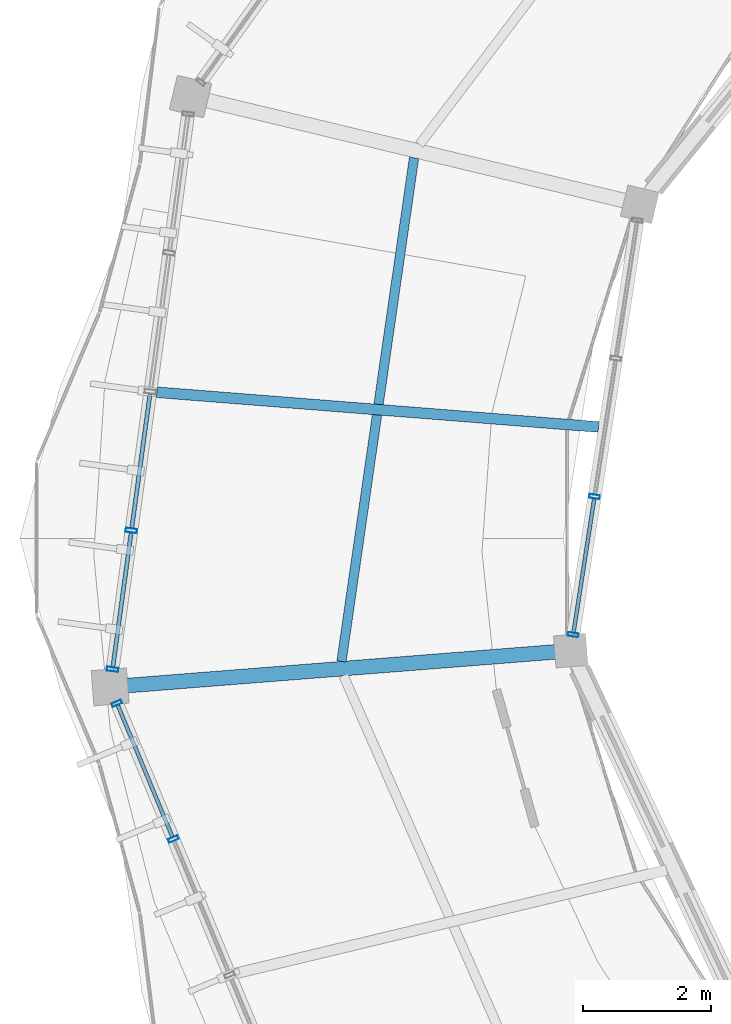
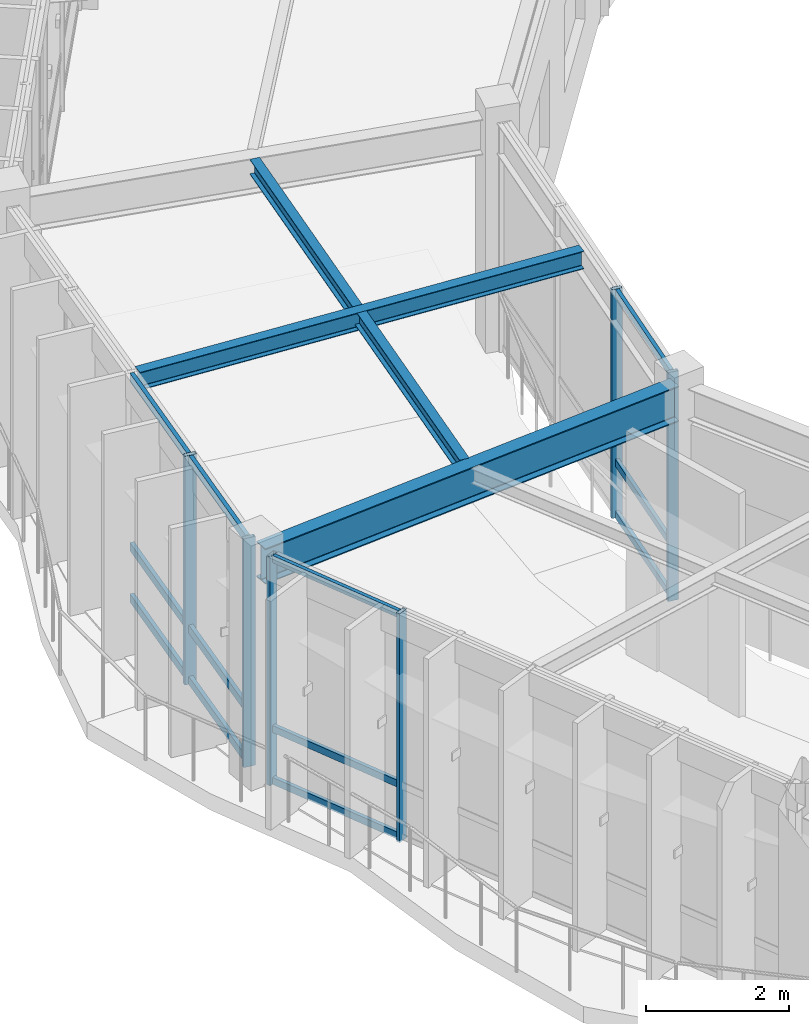
# One storey, part 10 of 79: 18 members, 3 beams, 3 elements without a shape of their own.
"""IFC4 building model written with IfcOpenShell, lengths in metres."""

from ifc_helpers import new_model, si_unit, direction, frame, origin, origin_2d, place, context, subcontext, project, spatial, hollow_rectangle, i_section, extrude, material, material_profile, profile_set, type_object, element, aggregate, save


model = new_model("IFC4")

# Units and contexts
model_context = context("Model", 3, precision=1e-05, world=origin(), true_north=direction((0.0, 1.0)))
body_context = subcontext(model_context, "Body", "Model", "MODEL_VIEW")
ifc_project = project(units=[si_unit("LENGTHUNIT", "METRE"), si_unit("AREAUNIT", "SQUARE_METRE"), si_unit("VOLUMEUNIT", "CUBIC_METRE"), si_unit("PLANEANGLEUNIT", "RADIAN"), si_unit("MASSUNIT", "GRAM", prefix="KILO"), si_unit("THERMODYNAMICTEMPERATUREUNIT", "KELVIN"), si_unit("POWERUNIT", "WATT")], contexts=[model_context])

# Site, building, storey
site_placement = place(None, origin())
site = spatial("IfcSite", under=ifc_project, at=site_placement, CompositionType="ELEMENT")
building_placement = place(site_placement, origin())
building = spatial("IfcBuilding", under=site, at=building_placement, Name="Darbajah Civic Hall", CompositionType="ELEMENT")
storey_placement = place(building_placement, frame((0.0, 0.0, 22.199951171875)))
storey = spatial("IfcBuildingStorey", under=building, at=storey_placement, Name="L05", CompositionType="ELEMENT", Elevation=22.199951171875)

# Curtain wall, members
ifc_material_1 = material(Name="Anodised Bronze Aluminium and Low-E Glazing", Category="aluminium")
curtain_wall_type_1 = type_object("IfcCurtainWallType", Name="Unitised Curtain Wall CW-70 6500x3900", PredefinedType="USERDEFINED", material=ifc_material_1)
curtain_wall_1_placement = place(storey_placement, origin())
curtain_wall_1 = element("IfcCurtainWall", 1, at=curtain_wall_1_placement, inside=storey, type_object=curtain_wall_type_1, Name="L05 unitised curtain wall CW-V1I-L05-09", ObjectType="UNITISED CURTAIN WALL", PredefinedType="USERDEFINED")
ifc_material_2 = material(Name="Anodised Bronze Aluminium", Category="aluminium")
ifc_material_profile_1 = material_profile(ifc_material_2, hollow_rectangle(XDim=0.06005859375, YDim=0.159912109375, WallThickness=0.00341796875, at=origin_2d()), Name="ALU MULLION 60x160")
ifc_profile_set_1 = profile_set([ifc_material_profile_1], Name="Anodised Bronze Aluminium")
member_type_1 = type_object("IfcMemberType", Name="ALU MULLION 60x160", PredefinedType="MULLION", material=ifc_profile_set_1)
member_1_placement = place(storey_placement, frame((45.80615234375, 90.451904296875, 0.0), z_axis=(0.0, 0.0, 1.0), x_axis=(-0.152813355565, -0.98825506746, 0.0)))
member_1 = element("IfcMember", 2, at=member_1_placement, type_object=member_type_1, Name="CW-V1I-L05-09 mullion 3", PredefinedType="MULLION", context=body_context, shape_type="SweptSolid", body=[
    extrude(hollow_rectangle(XDim=0.06005859375, YDim=0.159912109375, WallThickness=0.00341796875, at=origin_2d()), origin(), (0.0, 0.0, 1.0), 3.920166015625),
])
member_2_placement = place(storey_placement, frame((45.473388671875, 88.29931640625, 0.0), z_axis=(0.0, 0.0, 1.0), x_axis=(-0.152813355565, -0.98825506746, 0.0)))
member_2 = element("IfcMember", 3, at=member_2_placement, type_object=member_type_1, Name="CW-V1I-L05-09 mullion 4", PredefinedType="MULLION", context=body_context, shape_type="SweptSolid", body=[
    extrude(hollow_rectangle(XDim=0.06005859375, YDim=0.159912109375, WallThickness=0.00341796875, at=origin_2d()), origin(), (0.0, 0.0, 1.0), 3.920166015625),
])

curtain_wall_type_2 = type_object("IfcCurtainWallType", Name="Unitised Curtain Wall CW-82 9200x3900", PredefinedType="USERDEFINED", material=ifc_material_1)
curtain_wall_2_placement = place(storey_placement, origin())
curtain_wall_2 = element("IfcCurtainWall", 4, at=curtain_wall_2_placement, inside=storey, type_object=curtain_wall_type_2, Name="L05 unitised curtain wall CW-V1O-L05-10", ObjectType="UNITISED CURTAIN WALL", PredefinedType="USERDEFINED")
member_3_placement = place(storey_placement, frame((38.36328125, 87.229736328125, 0.0), z_axis=(0.0, 0.0, 1.0), x_axis=(0.383328328644, -0.923612143954, 0.0)))
member_3 = element("IfcMember", 5, at=member_3_placement, type_object=member_type_1, Name="CW-V1O-L05-10 mullion 1", PredefinedType="MULLION", context=body_context, shape_type="SweptSolid", body=[
    extrude(hollow_rectangle(XDim=0.06005859375, YDim=0.159912109375, WallThickness=0.00341796875, at=origin_2d()), origin(), (0.0, 0.0, 1.0), 3.920166015625),
])
member_4_placement = place(storey_placement, frame((39.241455078125, 85.114013671875, 0.0), z_axis=(0.0, 0.0, 1.0), x_axis=(0.383328328644, -0.923612143954, 0.0)))
member_4 = element("IfcMember", 6, at=member_4_placement, type_object=member_type_1, Name="CW-V1O-L05-10 mullion 2", PredefinedType="MULLION", context=body_context, shape_type="SweptSolid", body=[
    extrude(hollow_rectangle(XDim=0.06005859375, YDim=0.159912109375, WallThickness=0.00341796875, at=origin_2d()), origin(), (0.0, 0.0, 1.0), 3.920166015625),
])

curtain_wall_type_3 = type_object("IfcCurtainWallType", Name="Unitised Curtain Wall CW-69 8700x3900", PredefinedType="USERDEFINED", material=ifc_material_1)
curtain_wall_3_placement = place(storey_placement, origin())
curtain_wall_3 = element("IfcCurtainWall", 7, at=curtain_wall_3_placement, inside=storey, type_object=curtain_wall_type_3, Name="L05 unitised curtain wall CW-V1O-L05-09", ObjectType="UNITISED CURTAIN WALL", PredefinedType="USERDEFINED")
ifc_material_profile_2 = material_profile(ifc_material_2, hollow_rectangle(XDim=0.06494140625, YDim=0.179931640625, WallThickness=0.00390625, at=origin_2d()), Name="ALU MULLION 65x180")
ifc_profile_set_2 = profile_set([ifc_material_profile_2], Name="Anodised Bronze Aluminium")
member_type_2 = type_object("IfcMemberType", Name="ALU MULLION 65x180", PredefinedType="MULLION", material=ifc_profile_set_2)
member_5_placement = place(storey_placement, frame((38.5888671875, 89.923095703125, 0.0), z_axis=(0.0, 0.0, 1.0), x_axis=(-0.134850930274, -0.990865897387, 0.0)))
member_5 = element("IfcMember", 8, at=member_5_placement, type_object=member_type_2, Name="CW-V1O-L05-09 mullion 4", PredefinedType="MULLION", context=body_context, shape_type="SweptSolid", body=[
    extrude(hollow_rectangle(XDim=0.06494140625, YDim=0.179931640625, WallThickness=0.00390625, at=origin_2d()), origin(), (0.0, 0.0, 1.0), 3.920166015625),
])
member_6_placement = place(storey_placement, frame((38.29443359375, 87.760009765625, 0.0), z_axis=(0.0, 0.0, 1.0), x_axis=(-0.134850930274, -0.990865897387, 0.0)))
member_6 = element("IfcMember", 9, at=member_6_placement, type_object=member_type_2, Name="CW-V1O-L05-09 mullion 5", PredefinedType="MULLION", context=body_context, shape_type="SweptSolid", body=[
    extrude(hollow_rectangle(XDim=0.06494140625, YDim=0.179931640625, WallThickness=0.00390625, at=origin_2d()), origin(), (0.0, 0.0, 1.0), 3.920166015625),
])

# Member
ifc_material_profile_3 = material_profile(ifc_material_2, hollow_rectangle(XDim=0.06005859375, YDim=0.1201171875, WallThickness=0.003173828125, at=origin_2d()), Name="ALU TRANSOM 60x120")
ifc_profile_set_3 = profile_set([ifc_material_profile_3], Name="Anodised Bronze Aluminium")
member_type_3 = type_object("IfcMemberType", Name="ALU TRANSOM 60x120", PredefinedType="USERDEFINED", material=ifc_profile_set_3)
member_7_placement = place(storey_placement, frame((45.80078125, 90.417236328125, 0.06005859375), z_axis=(-0.152762087041, -0.988262993723, 0.0), x_axis=(0.988262993723, -0.152762087041, 0.0)))
member_7 = element("IfcMember", 10, at=member_7_placement, type_object=member_type_3, Name="CW-V1I-L05-09 transom 3.1", ObjectType="TRANSOM", PredefinedType="USERDEFINED", context=body_context, shape_type="SweptSolid", body=[
    extrude(hollow_rectangle(XDim=0.06005859375, YDim=0.1201171875, WallThickness=0.003173828125, at=origin_2d()), origin(), (0.0, 0.0, 1.0), 2.10791015625),
])

member_8_placement = place(storey_placement, frame((45.80078125, 90.417236328125, 0.949951171875), z_axis=(-0.152762087041, -0.988262993723, 0.0), x_axis=(0.988262993723, -0.152762087041, 0.0)))
member_8 = element("IfcMember", 11, at=member_8_placement, type_object=member_type_3, Name="CW-V1I-L05-09 transom 3.2", ObjectType="TRANSOM", PredefinedType="USERDEFINED", context=body_context, shape_type="SweptSolid", body=[
    extrude(hollow_rectangle(XDim=0.06005859375, YDim=0.1201171875, WallThickness=0.003173828125, at=origin_2d()), origin(), (0.0, 0.0, 1.0), 2.10791015625),
])

member_9_placement = place(storey_placement, frame((45.80078125, 90.417236328125, 3.860107421875), z_axis=(-0.152762087041, -0.988262993723, 0.0), x_axis=(0.988262993723, -0.152762087041, 0.0)))
member_9 = element("IfcMember", 12, at=member_9_placement, type_object=member_type_3, Name="CW-V1I-L05-09 transom 3.3", ObjectType="TRANSOM", PredefinedType="USERDEFINED", context=body_context, shape_type="SweptSolid", body=[
    extrude(hollow_rectangle(XDim=0.06005859375, YDim=0.1201171875, WallThickness=0.003173828125, at=origin_2d()), origin(), (0.0, 0.0, 1.0), 2.10791015625),
])

aggregate(curtain_wall_1, [member_1, member_2, member_7, member_8, member_9])

member_10_placement = place(storey_placement, frame((38.376708984375, 87.197509765625, 0.06005859375), z_axis=(0.383319285134, -0.923615897245, 0.0), x_axis=(0.923615897245, 0.383319285134, 0.0)))
member_10 = element("IfcMember", 13, at=member_10_placement, type_object=member_type_3, Name="CW-V1O-L05-10 transom 1.1", ObjectType="TRANSOM", PredefinedType="USERDEFINED", context=body_context, shape_type="SweptSolid", body=[
    extrude(hollow_rectangle(XDim=0.06005859375, YDim=0.1201171875, WallThickness=0.003173828125, at=origin_2d()), origin(), (0.0, 0.0, 1.0), 2.220947265625),
])

member_11_placement = place(storey_placement, frame((38.376708984375, 87.197509765625, 0.949951171875), z_axis=(0.383319285134, -0.923615897245, 0.0), x_axis=(0.923615897245, 0.383319285134, 0.0)))
member_11 = element("IfcMember", 14, at=member_11_placement, type_object=member_type_3, Name="CW-V1O-L05-10 transom 1.2", ObjectType="TRANSOM", PredefinedType="USERDEFINED", context=body_context, shape_type="SweptSolid", body=[
    extrude(hollow_rectangle(XDim=0.06005859375, YDim=0.1201171875, WallThickness=0.003173828125, at=origin_2d()), origin(), (0.0, 0.0, 1.0), 2.220947265625),
])

member_12_placement = place(storey_placement, frame((38.376708984375, 87.197509765625, 3.860107421875), z_axis=(0.383319285134, -0.923615897245, 0.0), x_axis=(0.923615897245, 0.383319285134, 0.0)))
member_12 = element("IfcMember", 15, at=member_12_placement, type_object=member_type_3, Name="CW-V1O-L05-10 transom 1.3", ObjectType="TRANSOM", PredefinedType="USERDEFINED", context=body_context, shape_type="SweptSolid", body=[
    extrude(hollow_rectangle(XDim=0.06005859375, YDim=0.1201171875, WallThickness=0.003173828125, at=origin_2d()), origin(), (0.0, 0.0, 1.0), 2.220947265625),
])

aggregate(curtain_wall_2, [member_3, member_4, member_10, member_11, member_12])

ifc_material_profile_4 = material_profile(ifc_material_2, hollow_rectangle(XDim=0.06494140625, YDim=0.139892578125, WallThickness=0.00341796875, at=origin_2d()), Name="ALU TRANSOM 65x140")
ifc_profile_set_4 = profile_set([ifc_material_profile_4], Name="Anodised Bronze Aluminium")
member_type_4 = type_object("IfcMemberType", Name="ALU TRANSOM 65x140", PredefinedType="USERDEFINED", material=ifc_profile_set_4)
member_13_placement = place(storey_placement, frame((38.878173828125, 92.048828125, 0.070068359375), z_axis=(-0.134818588808, -0.99087029833, 0.0), x_axis=(0.99087029833, -0.134818588808, 0.0)))
member_13 = element("IfcMember", 16, at=member_13_placement, type_object=member_type_4, Name="CW-V1O-L05-09 transom 3.1", ObjectType="TRANSOM", PredefinedType="USERDEFINED", context=body_context, shape_type="SweptSolid", body=[
    extrude(hollow_rectangle(XDim=0.06494140625, YDim=0.139892578125, WallThickness=0.00341796875, at=origin_2d()), origin(), (0.0, 0.0, 1.0), 2.10791015625),
])

member_14_placement = place(storey_placement, frame((38.878173828125, 92.048828125, 0.949951171875), z_axis=(-0.134818588808, -0.99087029833, 0.0), x_axis=(0.99087029833, -0.134818588808, 0.0)))
member_14 = element("IfcMember", 17, at=member_14_placement, type_object=member_type_4, Name="CW-V1O-L05-09 transom 3.2", ObjectType="TRANSOM", PredefinedType="USERDEFINED", context=body_context, shape_type="SweptSolid", body=[
    extrude(hollow_rectangle(XDim=0.06494140625, YDim=0.139892578125, WallThickness=0.00341796875, at=origin_2d()), origin(), (0.0, 0.0, 1.0), 2.10791015625),
])

member_15_placement = place(storey_placement, frame((38.878173828125, 92.048828125, 3.85009765625), z_axis=(-0.134818588808, -0.99087029833, 0.0), x_axis=(0.99087029833, -0.134818588808, 0.0)))
member_15 = element("IfcMember", 18, at=member_15_placement, type_object=member_type_4, Name="CW-V1O-L05-09 transom 3.3", ObjectType="TRANSOM", PredefinedType="USERDEFINED", context=body_context, shape_type="SweptSolid", body=[
    extrude(hollow_rectangle(XDim=0.06494140625, YDim=0.139892578125, WallThickness=0.00341796875, at=origin_2d()), origin(), (0.0, 0.0, 1.0), 2.10791015625),
])

member_16_placement = place(storey_placement, frame((38.583740234375, 89.885986328125, 0.070068359375), z_axis=(-0.134803117964, -0.990872403182, 0.0), x_axis=(0.990872403182, -0.134803117964, 0.0)))
member_16 = element("IfcMember", 19, at=member_16_placement, type_object=member_type_4, Name="CW-V1O-L05-09 transom 4.1", ObjectType="TRANSOM", PredefinedType="USERDEFINED", context=body_context, shape_type="SweptSolid", body=[
    extrude(hollow_rectangle(XDim=0.06494140625, YDim=0.139892578125, WallThickness=0.00341796875, at=origin_2d()), origin(), (0.0, 0.0, 1.0), 2.108154296875),
])

member_17_placement = place(storey_placement, frame((38.583740234375, 89.885986328125, 0.949951171875), z_axis=(-0.134803117964, -0.990872403182, 0.0), x_axis=(0.990872403182, -0.134803117964, 0.0)))
member_17 = element("IfcMember", 20, at=member_17_placement, type_object=member_type_4, Name="CW-V1O-L05-09 transom 4.2", ObjectType="TRANSOM", PredefinedType="USERDEFINED", context=body_context, shape_type="SweptSolid", body=[
    extrude(hollow_rectangle(XDim=0.06494140625, YDim=0.139892578125, WallThickness=0.00341796875, at=origin_2d()), origin(), (0.0, 0.0, 1.0), 2.108154296875),
])

member_18_placement = place(storey_placement, frame((38.583740234375, 89.885986328125, 3.85009765625), z_axis=(-0.134803117964, -0.990872403182, 0.0), x_axis=(0.990872403182, -0.134803117964, 0.0)))
member_18 = element("IfcMember", 21, at=member_18_placement, type_object=member_type_4, Name="CW-V1O-L05-09 transom 4.3", ObjectType="TRANSOM", PredefinedType="USERDEFINED", context=body_context, shape_type="SweptSolid", body=[
    extrude(hollow_rectangle(XDim=0.06494140625, YDim=0.139892578125, WallThickness=0.00341796875, at=origin_2d()), origin(), (0.0, 0.0, 1.0), 2.108154296875),
])

aggregate(curtain_wall_3, [member_5, member_6, member_13, member_14, member_15, member_16, member_17, member_18])

# Beams
ifc_material_3 = material(Name="Steel S355JR", Category="steel")
ifc_material_profile_5 = material_profile(ifc_material_3, i_section(OverallWidth=0.146484375, OverallDepth=0.256103515625, WebThickness=0.00634765625, FlangeThickness=0.010986328125, FilletRadius=0.007568359375, at=origin_2d()), Name="UB 254x146x37")
ifc_profile_set_5 = profile_set([ifc_material_profile_5], Name="Steel S355JR")
beam_type_1 = type_object("IfcBeamType", Name="UB 254x146x37", PredefinedType="JOIST", material=ifc_profile_set_5)
beam_1_placement = place(storey_placement, frame((42.9931640625, 95.7314453125, 3.7919921875), z_axis=(-0.142580747671, -0.989783173424, 0.0), x_axis=(0.989783173424, -0.142580747671, 0.0)))
element("IfcBeam", 22, at=beam_1_placement, inside=storey, type_object=beam_type_1, Name="L05 beam SJ-254", PredefinedType="JOIST", context=body_context, shape_type="SweptSolid", body=[
    extrude(i_section(OverallWidth=0.146484375, OverallDepth=0.256103515625, WebThickness=0.00634765625, FlangeThickness=0.010986328125, FilletRadius=0.007568359375, at=origin_2d()), origin(), (0.0, 0.0, 1.0), 7.9296875),
])
ifc_material_profile_6 = material_profile(ifc_material_3, i_section(OverallWidth=0.165771484375, OverallDepth=0.306640625, WebThickness=0.006591796875, FlangeThickness=0.01171875, FilletRadius=0.0087890625, at=origin_2d()), Name="UB 305x165x46")
ifc_profile_set_6 = profile_set([ifc_material_profile_6], Name="Steel S355JR")
beam_type_2 = type_object("IfcBeamType", Name="UB 305x165x46", PredefinedType="JOIST", material=ifc_profile_set_6)
beam_2_placement = place(storey_placement, frame((45.866943359375, 91.536376953125, 3.766845703125), z_axis=(-0.996918778661, 0.078440734012, 0.0), x_axis=(-0.078440734012, -0.996918778661, 0.0)))
element("IfcBeam", 23, at=beam_2_placement, inside=storey, type_object=beam_type_2, Name="L05 beam SJ-305", PredefinedType="JOIST", context=body_context, shape_type="SweptSolid", body=[
    extrude(i_section(OverallWidth=0.165771484375, OverallDepth=0.306640625, WebThickness=0.006591796875, FlangeThickness=0.01171875, FilletRadius=0.0087890625, at=origin_2d()), origin(), (0.0, 0.0, 1.0), 6.9033203125),
])
ifc_material_profile_7 = material_profile(ifc_material_3, i_section(OverallWidth=0.228271484375, OverallDepth=0.607666015625, WebThickness=0.010986328125, FlangeThickness=0.017333984375, FilletRadius=0.0126953125, at=origin_2d()), Name="UB 610x229x113")
ifc_profile_set_7 = profile_set([ifc_material_profile_7], Name="Steel S355JR")
beam_type_3 = type_object("IfcBeamType", Name="UB 610x229x113", PredefinedType="BEAM", material=ifc_profile_set_7)
beam_3_placement = place(storey_placement, frame((45.355224609375, 88.044189453125, 3.6162109375), z_axis=(-0.996915809033, -0.078478466478, 0.0), x_axis=(0.078478466478, -0.996915809033, 0.0)))
element("IfcBeam", 24, at=beam_3_placement, inside=storey, type_object=beam_type_3, Name="L05 beam SB-610", PredefinedType="BEAM", context=body_context, shape_type="SweptSolid", body=[
    extrude(i_section(OverallWidth=0.228271484375, OverallDepth=0.607666015625, WebThickness=0.010986328125, FlangeThickness=0.017333984375, FilletRadius=0.0126953125, at=origin_2d()), origin(), (0.0, 0.0, 1.0), 7.0400390625),
])

save(model, "model.ifc")
